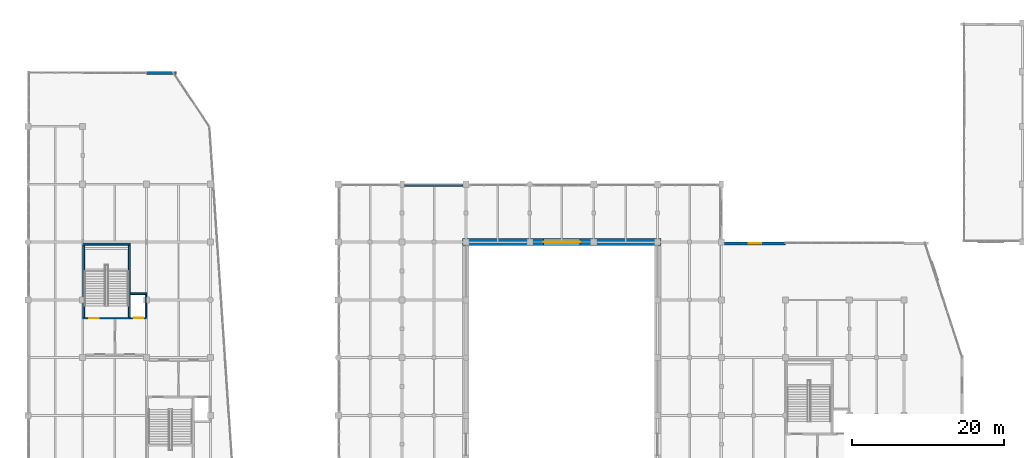
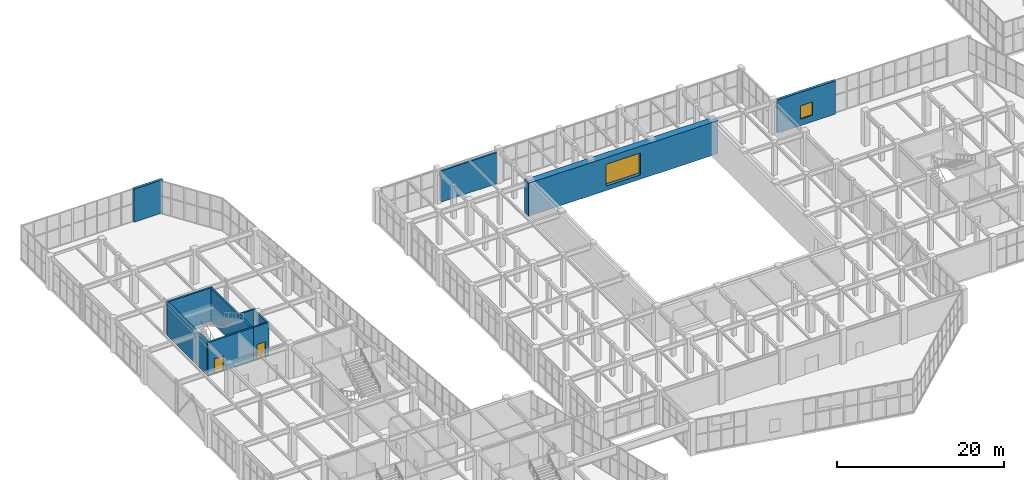
# One storey, part 115 of 128: 11 walls, 2 doors, 2 windows, 4 openings.
"""IFC4 building model written with IfcOpenShell, lengths in metres."""

from ifc_helpers import new_model, si_unit, direction, frame, frame_2d, origin, place, context, subcontext, project, spatial, rectangle, extrude, material, layer, layer_set, type_object, element, fill, save


model = new_model("IFC4")

# Units and contexts
model_context = context("Model", 3, precision=1e-05, world=origin(), true_north=direction((0.0, 1.0)))
body_context = subcontext(model_context, "Body", "Model", "MODEL_VIEW")
ifc_project = project(units=[si_unit("LENGTHUNIT", "METRE"), si_unit("AREAUNIT", "SQUARE_METRE"), si_unit("VOLUMEUNIT", "CUBIC_METRE"), si_unit("PLANEANGLEUNIT", "RADIAN"), si_unit("MASSUNIT", "GRAM", prefix="KILO")], contexts=[model_context])

# Site, building, storey
site_placement = place(None, origin())
site = spatial("IfcSite", under=ifc_project, at=site_placement, CompositionType="ELEMENT")
building_placement = place(site_placement, origin())
building = spatial("IfcBuilding", under=site, at=building_placement, Name="Xicomal Pleat Aquarium", CompositionType="ELEMENT")
storey_placement = place(building_placement, frame((0.0, 0.0, 5.39990234375)))
storey = spatial("IfcBuildingStorey", under=building, at=storey_placement, Name="L02", CompositionType="ELEMENT", Elevation=5.39990234375)

# Wall, opening, door
ifc_material_1 = material(Name="Concrete C40/50", Category="concrete")
ifc_layer_1 = layer(ifc_material_1, 0.219970703125)
ifc_layer_set_1 = layer_set([ifc_layer_1], Name="Concrete C40/50")
wall_type_1 = type_object("IfcWallType", Name="WAL-COR-220", PredefinedType="SHEAR", material=ifc_layer_set_1)
wall_1_placement = place(storey_placement, frame((16.5, 65.989990234375, 0.0), z_axis=(0.0, 0.0, 1.0), x_axis=(1.0, 0.0, 0.0)))
wall_1 = element("IfcWall", 1, at=wall_1_placement, inside=storey, type_object=wall_type_1, Name="L02 LF-03 lift shaft wall CW-L02-C3-LS", PredefinedType="SHEAR", context=body_context, shape_type="SweptSolid", body=[
    extrude(rectangle(XDim=2.1201171875, YDim=0.219970703125, at=frame_2d((1.06005859375, 0.0))), origin(), (0.0, 0.0, 1.0), 4.875),
])
opening_1_placement = place(wall_1_placement, frame((0.4599609375, 0.0, 0.0)))
opening_1 = element("IfcOpeningElement", 2, at=opening_1_placement, cuts=wall_1, Name="Opening LD-03-L02", PredefinedType="OPENING", context=body_context, shape_type="SweptSolid", body=[
    extrude(rectangle(XDim=1.199951171875, YDim=2.199951171875, at=frame_2d((0.60009765625, 1.10009765625))), frame((0.0, 0.119873046875, 0.0), z_axis=(0.0, -1.0, 0.0), x_axis=(1.0, 0.0, 0.0)), (0.0, 0.0, 1.0), 0.239990234375),
])
ifc_material_2 = material(Name="Brushed stainless steel 304", Category="steel")
door_type_1 = type_object("IfcDoorType", Name="DOR-LD-1200x2200", OperationType="DOUBLE_DOOR_SLIDING", PredefinedType="DOOR", material=ifc_material_2)
door_1_placement = place(opening_1_placement, origin())
door_1 = element("IfcDoor", 3, at=door_1_placement, inside=storey, type_object=door_type_1, Name="L02 LF-03 sliding lift landing door", OperationType="DOUBLE_DOOR_SLIDING", OverallHeight=2.199951171875, OverallWidth=1.199951171875, PredefinedType="DOOR", context=body_context, shape_type="SweptSolid", body=[
    extrude(rectangle(XDim=1.199951171875, YDim=2.199951171875, at=frame_2d((0.60009765625, 1.10009765625))), frame((0.0, 0.02490234375, 0.0), z_axis=(0.0, -1.0, 0.0), x_axis=(1.0, 0.0, 0.0)), (0.0, 0.0, 1.0), 0.050048828125),
])
fill(opening_1, door_1)

# Walls
wall_2_placement = place(storey_placement, frame((16.5, 69.2099609375, 0.0), z_axis=(0.0, 0.0, 1.0), x_axis=(1.0, 0.0, 0.0)))
element("IfcWall", 4, at=wall_2_placement, inside=storey, type_object=wall_type_1, Name="L02 LF-03 lift shaft wall CW-L02-C3-LN", PredefinedType="SHEAR", context=body_context, shape_type="SweptSolid", body=[
    extrude(rectangle(XDim=2.1201171875, YDim=0.219970703125, at=frame_2d((1.06005859375, 0.0))), origin(), (0.0, 0.0, 1.0), 4.875),
])
wall_3_placement = place(storey_placement, frame((18.510009765625, 66.10009765625, 0.0), z_axis=(0.0, 0.0, 1.0), x_axis=(0.0, 1.0, 0.0)))
element("IfcWall", 5, at=wall_3_placement, inside=storey, type_object=wall_type_1, Name="L02 LF-03 lift shaft wall CW-L02-C3-LE", PredefinedType="SHEAR", context=body_context, shape_type="SweptSolid", body=[
    extrude(rectangle(XDim=3.0, YDim=0.219970703125, at=frame_2d((1.5, 0.0))), origin(), (0.0, 0.0, 1.0), 4.875),
])

# Wall, opening, door
ifc_material_3 = material(Name="Concrete C40/50", Category="concrete")
ifc_layer_2 = layer(ifc_material_3, 0.25)
ifc_layer_set_2 = layer_set([ifc_layer_2], Name="Concrete C40/50")
wall_type_2 = type_object("IfcWallType", Name="WAL-COR-250", PredefinedType="SHEAR", material=ifc_layer_set_2)
wall_4_placement = place(storey_placement, frame((10.18994140625, 65.97509765625, 0.0), z_axis=(0.0, 0.0, 1.0), x_axis=(1.0, 0.0, 0.0)))
wall_4 = element("IfcWall", 6, at=wall_4_placement, inside=storey, type_object=wall_type_2, Name="L02 CORE-3 stair shear wall CW-L02-C3-SS", PredefinedType="SHEAR", context=body_context, shape_type="SweptSolid", body=[
    extrude(rectangle(XDim=6.280029296875, YDim=0.25, at=frame_2d((3.14013671875, 0.0))), origin(), (0.0, 0.0, 1.0), 4.875),
])
opening_2_placement = place(wall_4_placement, frame((0.89990234375, 0.0, 0.0)))
opening_2 = element("IfcOpeningElement", 7, at=opening_2_placement, cuts=wall_4, Name="Opening SD-03-L02", PredefinedType="OPENING", context=body_context, shape_type="SweptSolid", body=[
    extrude(rectangle(XDim=1.25, YDim=2.199951171875, at=frame_2d((0.625, 1.10009765625))), frame((0.0, 0.135009765625, 0.0), z_axis=(0.0, -1.0, 0.0), x_axis=(1.0, 0.0, 0.0)), (0.0, 0.0, 1.0), 0.27001953125),
])
ifc_material_4 = material(Name="Powder-coated steel fire door", Category="steel")
door_type_2 = type_object("IfcDoorType", Name="DOR-ST-1250x2200", OperationType="NOTDEFINED", PredefinedType="DOOR", material=ifc_material_4)
door_2_placement = place(opening_2_placement, origin())
door_2 = element("IfcDoor", 8, at=door_2_placement, inside=storey, type_object=door_type_2, Name="L02 ST-03 protected stair door", OperationType="SINGLE_SWING_LEFT", OverallHeight=2.199951171875, OverallWidth=1.25, PredefinedType="DOOR", context=body_context, shape_type="SweptSolid", body=[
    extrude(rectangle(XDim=1.25, YDim=2.199951171875, at=frame_2d((0.625, 1.10009765625))), frame((0.0, 0.02490234375, 0.0), z_axis=(0.0, -1.0, 0.0), x_axis=(1.0, 0.0, 0.0)), (0.0, 0.0, 1.0), 0.050048828125),
])
fill(opening_2, door_2)

# Walls
wall_5_placement = place(storey_placement, frame((10.18994140625, 75.72509765625, 0.0), z_axis=(0.0, 0.0, 1.0), x_axis=(1.0, 0.0, 0.0)))
element("IfcWall", 9, at=wall_5_placement, inside=storey, type_object=wall_type_2, Name="L02 CORE-3 stair shear wall CW-L02-C3-SN", PredefinedType="SHEAR", context=body_context, shape_type="SweptSolid", body=[
    extrude(rectangle(XDim=6.280029296875, YDim=0.25, at=frame_2d((3.14013671875, 0.0))), origin(), (0.0, 0.0, 1.0), 4.875),
])
for number, where, z_axis, x_axis, name in (
    (10, (10.31494140625, 66.10009765625, 0.0), (0.0, 0.0, 1.0), (0.0, 1.0, 0.0), "L02 CORE-3 stair shear wall CW-L02-C3-SW"),
    (11, (16.344970703125, 66.10009765625, 0.0), (0.0, 0.0, 1.0), (0.0, 1.0, 0.0), "L02 CORE-3 stair shear wall CW-L02-C3-SE"),
):
    element("IfcWall", number, at=place(storey_placement, frame(where, z_axis=z_axis, x_axis=x_axis)), inside=storey, type_object=wall_type_2, Name=name, PredefinedType="SHEAR", context=body_context, shape_type="SweptSolid", body=[
        extrude(rectangle(XDim=9.5, YDim=0.25, at=frame_2d((4.75, 0.0))), origin(), (0.0, 0.0, 1.0), 4.875),
    ])
ifc_material_5 = material(Name="Volcanic basalt recinto masonry and concrete C40/50", Category="masonry")
ifc_layer_3 = layer(ifc_material_5, 0.35009765625)
ifc_layer_set_3 = layer_set([ifc_layer_3], Name="Volcanic basalt recinto masonry and concrete C40/50")
wall_type_3 = type_object("IfcWallType", Name="WAL-EXT-BAS-350", PredefinedType="SOLIDWALL", material=ifc_layer_set_3)
wall_6_placement = place(storey_placement, frame((18.580078125, 98.22509765625, 0.0), z_axis=(0.0, 0.0, 1.0), x_axis=(1.0, 0.0, 0.0)))
element("IfcWall", 12, at=wall_6_placement, inside=storey, type_object=wall_type_3, Name="L02 exterior basalt-precast wall EW-L02-081", PredefinedType="SOLIDWALL", context=body_context, shape_type="SweptSolid", body=[
    extrude(rectangle(XDim=3.97998046875, YDim=0.35009765625, at=frame_2d((1.989990234375, 0.0))), origin(), (0.0, 0.0, 1.0), 4.860107421875),
])

# Wall, opening, window
ifc_material_6 = material(Name="Volcanic basalt recinto masonry and concrete C40/50", Category="masonry")
ifc_layer_4 = layer(ifc_material_6, 0.364990234375)
ifc_layer_set_4 = layer_set([ifc_layer_4], Name="Volcanic basalt recinto masonry and concrete C40/50")
wall_type_4 = type_object("IfcWallType", Name="WAL-EXT-BAS-365", PredefinedType="SOLIDWALL", material=ifc_layer_set_4)
wall_7_placement = place(storey_placement, frame((94.5849609375, 75.81689453125, 0.0), z_axis=(0.0, 0.0, 1.0), x_axis=(1.0, 0.0, 0.0)))
wall_7 = element("IfcWall", 13, at=wall_7_placement, inside=storey, type_object=wall_type_4, Name="L02 exterior basalt-precast wall EW-L02-054", PredefinedType="SOLIDWALL", context=body_context, shape_type="SweptSolid", body=[
    extrude(rectangle(XDim=8.03515625, YDim=0.364990234375, at=frame_2d((4.017578125, 0.0))), origin(), (0.0, 0.0, 1.0), 4.860107421875),
])
opening_3_placement = place(wall_7_placement, frame((3.193115234375, 0.0, 0.949951171875)))
opening_3 = element("IfcOpeningElement", 14, at=opening_3_placement, cuts=wall_7, Name="Opening WN-10", PredefinedType="OPENING", context=body_context, shape_type="SweptSolid", body=[
    extrude(rectangle(XDim=1.64990234375, YDim=1.949951171875, at=frame_2d((0.824951171875, 0.97509765625))), frame((0.0, 0.1923828125, 0.0), z_axis=(0.0, -1.0, 0.0), x_axis=(1.0, 0.0, 0.0)), (0.0, 0.0, 1.0), 0.385009765625),
])
ifc_material_7 = material(Name="Insulated low-E laminated glass", Category="glass")
window_type_1 = type_object("IfcWindowType", Name="WIN-EXT-1650x1950", PartitioningType="SINGLE_PANEL", PredefinedType="WINDOW", material=ifc_material_7)
window_1_placement = place(opening_3_placement, origin())
window_1 = element("IfcWindow", 15, at=window_1_placement, inside=storey, type_object=window_type_1, Name="L02 thermally broken low-E window 10", OverallHeight=1.949951171875, OverallWidth=1.64990234375, PartitioningType="SINGLE_PANEL", PredefinedType="WINDOW", context=body_context, shape_type="SweptSolid", body=[
    extrude(rectangle(XDim=1.64990234375, YDim=1.949951171875, at=frame_2d((0.824951171875, 0.97509765625))), frame((0.0, 0.030029296875, 0.0), z_axis=(0.0, -1.0, 0.0), x_axis=(1.0, 0.0, 0.0)), (0.0, 0.0, 1.0), 0.06005859375),
])
fill(opening_3, window_1)

# Wall
ifc_material_8 = material(Name="Precast concrete C40/50", Category="concrete")
ifc_layer_5 = layer(ifc_material_8, 0.280029296875)
ifc_layer_set_5 = layer_set([ifc_layer_5], Name="Precast concrete C40/50")
wall_type_5 = type_object("IfcWallType", Name="WAL-EXT-PRC-280", PredefinedType="SOLIDWALL", material=ifc_layer_set_5)
wall_8_placement = place(storey_placement, frame((52.485107421875, 83.4599609375, 0.0), z_axis=(0.0, 0.0, 1.0), x_axis=(1.0, 0.0, 0.0)))
element("IfcWall", 16, at=wall_8_placement, inside=storey, type_object=wall_type_5, Name="L02 exterior basalt-precast wall EW-L02-048", PredefinedType="SOLIDWALL", context=body_context, shape_type="SweptSolid", body=[
    extrude(rectangle(XDim=7.72998046875, YDim=0.280029296875, at=frame_2d((3.864990234375, 0.0))), origin(), (0.0, 0.0, 1.0), 4.565185546875),
])

# Wall, opening, window
ifc_material_9 = material(Name="Concrete C45/55", Category="concrete")
ifc_layer_6 = layer(ifc_material_9, 0.949951171875)
ifc_layer_set_6 = layer_set([ifc_layer_6], Name="Concrete C45/55")
wall_type_6 = type_object("IfcWallType", Name="WAL-TANK-950", PredefinedType="SHEAR", material=ifc_layer_set_6)
wall_9_placement = place(storey_placement, frame((60.125, 76.0, 0.0), z_axis=(0.0, 0.0, 1.0), x_axis=(1.0, 0.0, 0.0)))
wall_9 = element("IfcWall", 17, at=wall_9_placement, inside=storey, type_object=wall_type_6, Name="Main ocean tank hydrostatic wall TW-L02-N", PredefinedType="SHEAR", context=body_context, shape_type="SweptSolid", body=[
    extrude(rectangle(XDim=26.14990234375, YDim=0.949951171875, at=frame_2d((13.074951171875, 0.0))), origin(), (0.0, 0.0, 1.0), 4.820068359375),
])
opening_4_placement = place(wall_9_placement, frame((10.679931640625, 0.0, 0.64990234375)))
opening_4 = element("IfcOpeningElement", 18, at=opening_4_placement, cuts=wall_9, Name="Opening AW-03", PredefinedType="OPENING", context=body_context, shape_type="SweptSolid", body=[
    extrude(rectangle(XDim=4.800048828125, YDim=3.199951171875, at=frame_2d((2.39990234375, 1.60009765625))), frame((0.0, 0.48486328125, 0.0), z_axis=(0.0, -1.0, 0.0), x_axis=(1.0, 0.0, 0.0)), (0.0, 0.0, 1.0), 0.969970703125),
])
ifc_material_10 = material(Name="Cast PMMA acrylic viewing glazing", Category="glass")
window_type_2 = type_object("IfcWindowType", Name="WIN-PMMA-4800x3200", PartitioningType="SINGLE_PANEL", PredefinedType="WINDOW", material=ifc_material_10)
window_2_placement = place(opening_4_placement, origin())
window_2 = element("IfcWindow", 19, at=window_2_placement, inside=storey, type_object=window_type_2, Name="L02 cast PMMA acrylic ocean tank window AW-L02-N1", OverallHeight=3.199951171875, OverallWidth=4.800048828125, PartitioningType="SINGLE_PANEL", PredefinedType="WINDOW", context=body_context, shape_type="SweptSolid", body=[
    extrude(rectangle(XDim=4.800048828125, YDim=3.199951171875, at=frame_2d((2.39990234375, 1.60009765625))), frame((0.0, 0.030029296875, 0.0), z_axis=(0.0, -1.0, 0.0), x_axis=(1.0, 0.0, 0.0)), (0.0, 0.0, 1.0), 0.06005859375),
])
fill(opening_4, window_2)

save(model, "model.ifc")
